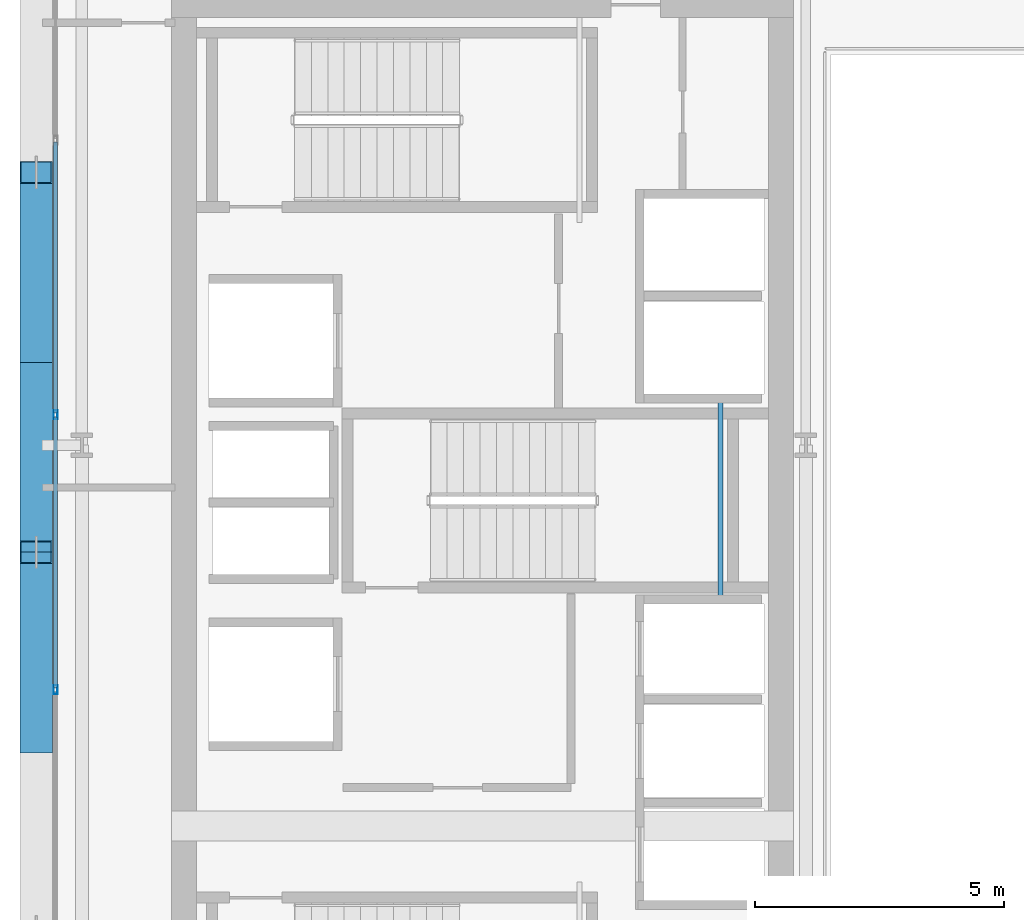
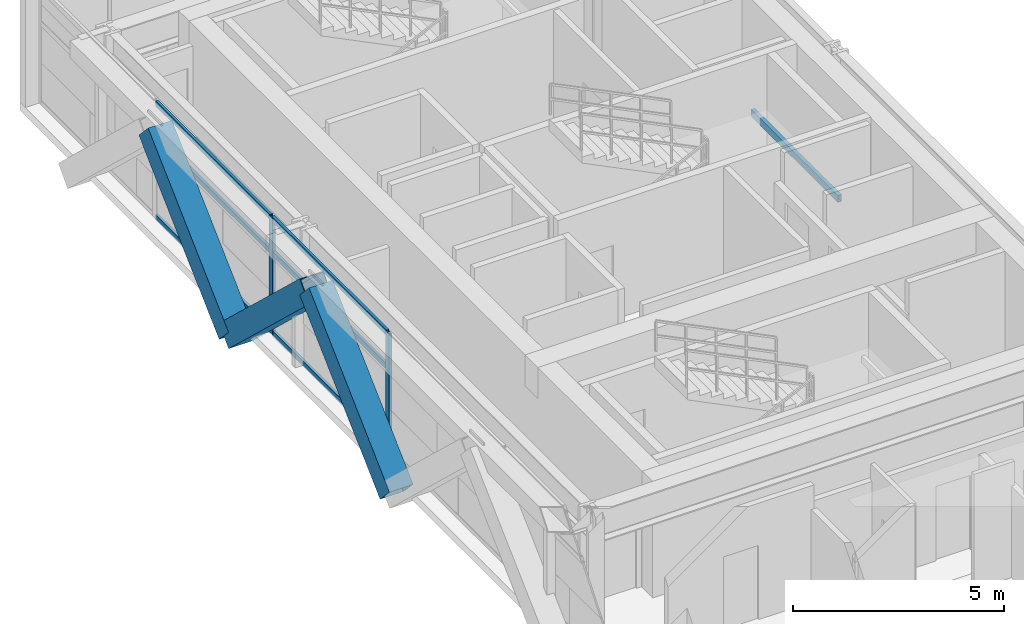
# One storey, part 7 of 31: 11 members, 1 beam, 1 element without a shape of its own.
"""IFC4 building model written with IfcOpenShell, lengths in metres."""

from ifc_helpers import new_model, si_unit, direction, frame, origin, origin_2d, place, context, subcontext, project, spatial, hollow_rectangle, extrude, source, transform, mapped, material, layer, layer_set, material_profile, profile_set, type_object, element, aggregate, save


model = new_model("IFC4")

# Units and contexts
model_context = context("Model", 3, precision=1e-05, world=origin(), true_north=direction((0.0, 1.0)))
body_context = subcontext(model_context, "Body", "Model", "MODEL_VIEW")
ifc_project = project(units=[si_unit("LENGTHUNIT", "METRE"), si_unit("AREAUNIT", "SQUARE_METRE"), si_unit("VOLUMEUNIT", "CUBIC_METRE"), si_unit("PLANEANGLEUNIT", "RADIAN"), si_unit("MASSUNIT", "GRAM", prefix="KILO")], contexts=[model_context])

# Site, building, storey
site_placement = place(None, origin())
site = spatial("IfcSite", under=ifc_project, at=site_placement, CompositionType="ELEMENT")
building_placement = place(site_placement, origin())
building = spatial("IfcBuilding", under=site, at=building_placement, Name="Ocotamira Hotel", CompositionType="ELEMENT")
storey_placement = place(building_placement, frame((0.0, 0.0, 202.800048828125)))
storey = spatial("IfcBuildingStorey", under=building, at=storey_placement, Name="L51", CompositionType="ELEMENT", Elevation=202.800048828125)

# Beam
ifc_material_1 = material(Name="Steel ASTM A500 Grade C", Category="steel")
ifc_material_profile_1 = material_profile(ifc_material_1, hollow_rectangle(XDim=0.10009765625, YDim=0.199951171875, WallThickness=0.008056640625, at=origin_2d()), Name="HSS200X100X8")
ifc_profile_set_1 = profile_set([ifc_material_profile_1], Name="Steel ASTM A500 Grade C")
beam_type = type_object("IfcBeamType", Name="BM-STLDG-HSS200", PredefinedType="BEAM", material=ifc_profile_set_1)
shared_shape_1 = source(origin(), body_context, "Body", "SweptSolid", [
    extrude(hollow_rectangle(XDim=0.10009765625, YDim=0.199951171875, WallThickness=0.008056640625, at=origin_2d()), origin(), (0.0, 0.0, 1.0), 4.1201171875),
])
beam_placement = place(storey_placement, frame((21.780029296875, 24.97998046875, 1.5), z_axis=(0.0, 1.0, 0.0), x_axis=(-1.0, 0.0, 0.0)))
element("IfcBeam", 1, at=beam_placement, inside=storey, type_object=beam_type, Name="L51 Stair ST-3 Landing Bearer 1", PredefinedType="BEAM", context=body_context, shape_type="MappedRepresentation", body=[
    mapped(shared_shape_1, transform((0.0, 0.0, 0.0), scale=1.0)),
])

# Members
ifc_material_2 = material(Name="Pale-metal coated steel ASTM A913 Grade 65", Category="steel")
ifc_material_profile_2 = material_profile(ifc_material_2, hollow_rectangle(XDim=0.64990234375, YDim=0.64990234375, WallThickness=0.02197265625, at=origin_2d()), Name="BOX650X650X22")
ifc_profile_set_2 = profile_set([ifc_material_profile_2], Name="Pale-metal coated steel ASTM A913 Grade 65")
member_type_1 = type_object("IfcMemberType", Name="MEM-EXO-BOX650", PredefinedType="BRACE", material=ifc_profile_set_2)
shared_shape_2 = source(origin(), body_context, "Body", "SweptSolid", [
    extrude(hollow_rectangle(XDim=0.64990234375, YDim=0.64990234375, WallThickness=0.02197265625, at=origin_2d()), origin(), (0.0, 0.0, 1.0), 5.24658203125),
])
for number, where, z_axis, x_axis, name in (
    (2, (8.030029296875, 22.183349609375, -0.47998046875), (0.0, 0.72746596067, 0.686143772154), (-1.0, 0.0, 0.0), "L51 Exoskeleton Diagrid W1.1"),
    (3, (8.030029296875, 29.816650390625, -0.47998046875), (0.0, -0.72746596067, 0.686143772154), (1.0, 0.0, 0.0), "L51 Exoskeleton Diagrid W1.2"),
    (4, (8.030029296875, 29.816650390625, -0.47998046875), (0.0, 0.72746596067, 0.686143772154), (-1.0, 0.0, 0.0), "L51 Exoskeleton Diagrid W2.1"),
):
    element("IfcMember", number, at=place(storey_placement, frame(where, z_axis=z_axis, x_axis=x_axis)), inside=storey, type_object=member_type_1, Name=name, PredefinedType="BRACE", context=body_context, shape_type="MappedRepresentation", body=[
        mapped(shared_shape_2, transform((0.0, 0.0, 0.0), scale=1.0)),
    ])

# Curtain wall, members
ifc_material_3 = material(Name="Anodised pale-metal aluminium and solar glass", Category="aluminium")
ifc_layer = layer(ifc_material_3, 0.199951171875)
ifc_layer_set = layer_set([ifc_layer], Name="Anodised pale-metal aluminium and solar glass")
curtain_wall_type = type_object("IfcCurtainWallType", Name="CW-SYS4-Z3", PredefinedType="NOTDEFINED", material=ifc_layer_set)
curtain_wall_placement = place(storey_placement, origin())
curtain_wall = element("IfcCurtainWall", 5, at=curtain_wall_placement, inside=storey, type_object=curtain_wall_type, Name="L51 Curtain Wall CW-4 CW-L51-W", PredefinedType="NOTDEFINED")
ifc_material_4 = material(Name="Anodised pale-metal aluminium 6063-T6", Category="aluminium")
ifc_material_profile_3 = material_profile(ifc_material_4, hollow_rectangle(XDim=0.074951171875, YDim=0.14990234375, WallThickness=0.006103515625, at=origin_2d()), Name="HSS150X75X6")
ifc_profile_set_3 = profile_set([ifc_material_profile_3], Name="Anodised pale-metal aluminium 6063-T6")
member_type_2 = type_object("IfcMemberType", Name="CWT-150X75", PredefinedType="USERDEFINED", material=ifc_profile_set_3)
shared_shape_3 = source(origin(), body_context, "Body", "SweptSolid", [
    extrude(hollow_rectangle(XDim=0.074951171875, YDim=0.14990234375, WallThickness=0.006103515625, at=origin_2d()), origin(), (0.0, 0.0, 1.0), 5.43994140625),
])
member_1_placement = place(storey_placement, frame((8.419921875, 23.280029296875, 0.037353515625), z_axis=(0.0, 1.0, 0.0), x_axis=(-1.0, 0.0, 0.0)))
member_1 = element("IfcMember", 6, at=member_1_placement, type_object=member_type_2, Name="CW-4 transom 3.1", ObjectType="TRANSOM", PredefinedType="USERDEFINED", context=body_context, shape_type="MappedRepresentation", body=[
    mapped(shared_shape_3, transform((0.0, 0.0, 0.0), scale=1.0)),
])
member_2_placement = place(storey_placement, frame((8.419921875, 23.280029296875, 2.349853515625), z_axis=(0.0, 1.0, 0.0), x_axis=(-1.0, 0.0, 0.0)))
member_2 = element("IfcMember", 7, at=member_2_placement, type_object=member_type_2, Name="CW-4 transom 3.2", ObjectType="TRANSOM", PredefinedType="USERDEFINED", context=body_context, shape_type="MappedRepresentation", body=[
    mapped(shared_shape_3, transform((0.0, 0.0, 0.0), scale=1.0)),
])
member_3_placement = place(storey_placement, frame((8.419921875, 23.280029296875, 3.33251953125), z_axis=(0.0, 1.0, 0.0), x_axis=(-1.0, 0.0, 0.0)))
member_3 = element("IfcMember", 8, at=member_3_placement, type_object=member_type_2, Name="CW-4 transom 3.3", ObjectType="TRANSOM", PredefinedType="USERDEFINED", context=body_context, shape_type="MappedRepresentation", body=[
    mapped(shared_shape_3, transform((0.0, 0.0, 0.0), scale=1.0)),
])
member_4_placement = place(storey_placement, frame((8.419921875, 28.800048828125, 0.037353515625), z_axis=(0.0, 1.0, 0.0), x_axis=(-1.0, 0.0, 0.0)))
member_4 = element("IfcMember", 9, at=member_4_placement, type_object=member_type_2, Name="CW-4 transom 4.1", ObjectType="TRANSOM", PredefinedType="USERDEFINED", context=body_context, shape_type="MappedRepresentation", body=[
    mapped(shared_shape_3, transform((0.0, 0.0, 0.0), scale=1.0)),
])
member_5_placement = place(storey_placement, frame((8.419921875, 28.800048828125, 2.349853515625), z_axis=(0.0, 1.0, 0.0), x_axis=(-1.0, 0.0, 0.0)))
member_5 = element("IfcMember", 10, at=member_5_placement, type_object=member_type_2, Name="CW-4 transom 4.2", ObjectType="TRANSOM", PredefinedType="USERDEFINED", context=body_context, shape_type="MappedRepresentation", body=[
    mapped(shared_shape_3, transform((0.0, 0.0, 0.0), scale=1.0)),
])
member_6_placement = place(storey_placement, frame((8.419921875, 28.800048828125, 3.33251953125), z_axis=(0.0, 1.0, 0.0), x_axis=(-1.0, 0.0, 0.0)))
member_6 = element("IfcMember", 11, at=member_6_placement, type_object=member_type_2, Name="CW-4 transom 4.3", ObjectType="TRANSOM", PredefinedType="USERDEFINED", context=body_context, shape_type="MappedRepresentation", body=[
    mapped(shared_shape_3, transform((0.0, 0.0, 0.0), scale=1.0)),
])
ifc_material_profile_4 = material_profile(ifc_material_4, hollow_rectangle(XDim=0.080078125, YDim=0.179931640625, WallThickness=0.006103515625, at=origin_2d()), Name="HSS180X80X6")
ifc_profile_set_4 = profile_set([ifc_material_profile_4], Name="Anodised pale-metal aluminium 6063-T6")
member_type_3 = type_object("IfcMemberType", Name="CWM-180X75", PredefinedType="MULLION", material=ifc_profile_set_4)
shared_shape_4 = source(origin(), body_context, "Body", "SweptSolid", [
    extrude(hollow_rectangle(XDim=0.080078125, YDim=0.179931640625, WallThickness=0.006103515625, at=origin_2d()), origin(), (0.0, 0.0, 1.0), 3.369873046875),
])
member_7_placement = place(storey_placement, frame((8.419921875, 23.239990234375, 0.0), z_axis=(0.0, 0.0, 1.0), x_axis=(-1.0, 0.0, 0.0)))
member_7 = element("IfcMember", 12, at=member_7_placement, type_object=member_type_3, Name="CW-4 mullion 3", PredefinedType="MULLION", context=body_context, shape_type="MappedRepresentation", body=[
    mapped(shared_shape_4, transform((0.0, 0.0, 0.0), scale=1.0)),
])
member_8_placement = place(storey_placement, frame((8.419921875, 28.760009765625, 0.0), z_axis=(0.0, 0.0, 1.0), x_axis=(-1.0, 0.0, 0.0)))
member_8 = element("IfcMember", 13, at=member_8_placement, type_object=member_type_3, Name="CW-4 mullion 4", PredefinedType="MULLION", context=body_context, shape_type="MappedRepresentation", body=[
    mapped(shared_shape_4, transform((0.0, 0.0, 0.0), scale=1.0)),
])
aggregate(curtain_wall, [member_7, member_8, member_1, member_2, member_3, member_4, member_5, member_6])

save(model, "model.ifc")
